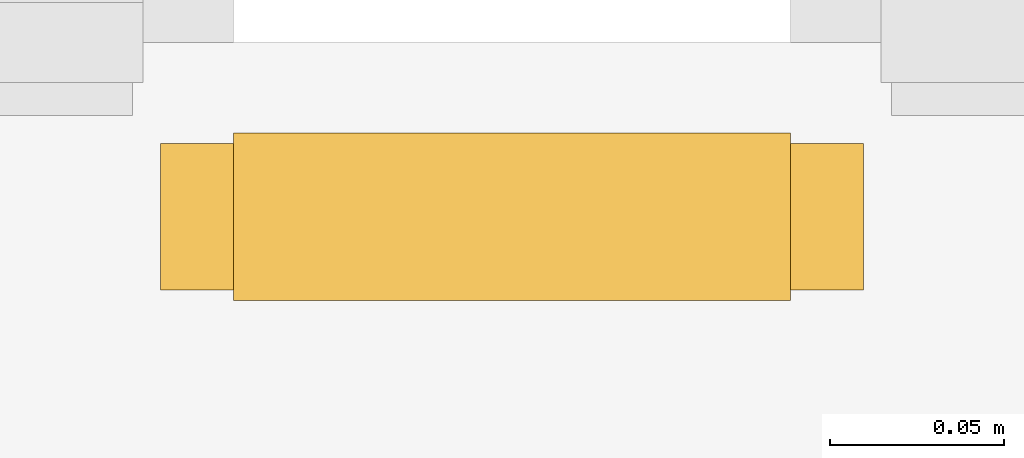
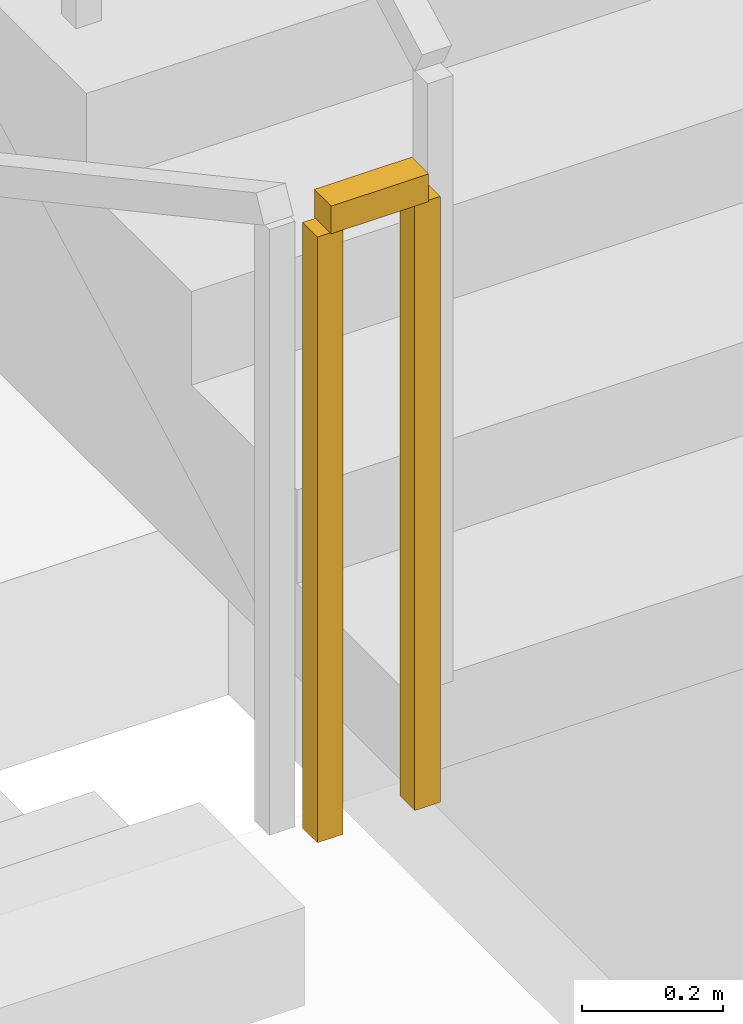
# One storey, part 16 of 20: 1 railing.
"""IFC4 building model written with IfcOpenShell, lengths in metres."""

from ifc_helpers import new_model, si_unit, direction, frame, origin, origin_2d, place, context, subcontext, project, spatial, rectangle, extrude, material, type_object, element, save


model = new_model("IFC4")

# Units and contexts
model_context = context("Model", 3, precision=1e-05, world=origin(), true_north=direction((0.0, 1.0)))
body_context = subcontext(model_context, "Body", "Model", "MODEL_VIEW")
ifc_project = project(units=[si_unit("LENGTHUNIT", "METRE"), si_unit("AREAUNIT", "SQUARE_METRE"), si_unit("VOLUMEUNIT", "CUBIC_METRE"), si_unit("PLANEANGLEUNIT", "RADIAN"), si_unit("MASSUNIT", "GRAM", prefix="KILO")], contexts=[model_context])

# Site, building, storey
site_placement = place(None, origin())
site = spatial("IfcSite", under=ifc_project, at=site_placement, CompositionType="ELEMENT")
building_placement = place(site_placement, origin())
building = spatial("IfcBuilding", under=site, at=building_placement, Name="Zulmaris Gate Convention Tower", CompositionType="ELEMENT")
storey_placement = place(building_placement, frame((0.0, 0.0, 71.469970703125)))
storey = spatial("IfcBuildingStorey", under=building, at=storey_placement, Name="L17", CompositionType="ELEMENT", Elevation=71.469970703125)

# Railing
ifc_material = material(Name="Painted Galvanised Steel", Category="steel")
railing_type = type_object("IfcRailingType", Name="RL-STG-1150", PredefinedType="GUARDRAIL", material=ifc_material)
railing_placement = place(storey_placement, frame((-13.219970703125, -5.050048828125, 1.784912109375)))
element("IfcRailing", 1, at=railing_placement, inside=storey, type_object=railing_type, Name="L17 ST-1 stair guard 2", PredefinedType="GUARDRAIL", context=body_context, shape_type="SweptSolid", body=[
    extrude(rectangle(XDim=0.048095703125, YDim=0.048095703125, at=origin_2d()), frame((0.0, 0.0, 1.076171875), z_axis=(1.0, 0.0, 0.0), x_axis=(0.0, 1.0, 0.0)), (0.0, 0.0, 1.0), 0.159912109375),
    extrude(rectangle(XDim=0.0419921875, YDim=0.0419921875, at=origin_2d()), origin(), (0.0, 0.0, 1.0), 1.052001953125),
    extrude(rectangle(XDim=0.0419921875, YDim=0.0419921875, at=origin_2d()), frame((0.159912109375, 0.0, 0.0)), (0.0, 0.0, 1.0), 1.052001953125),
])

save(model, "model.ifc")
